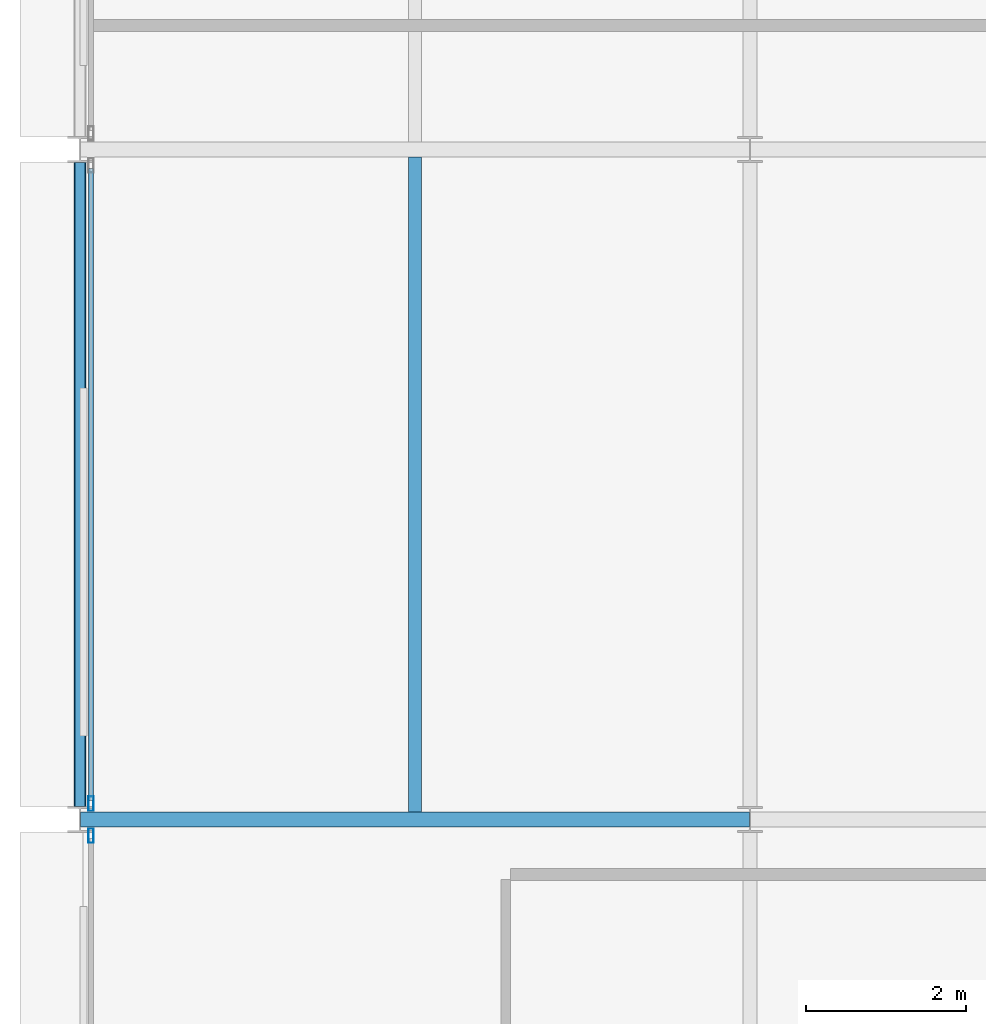
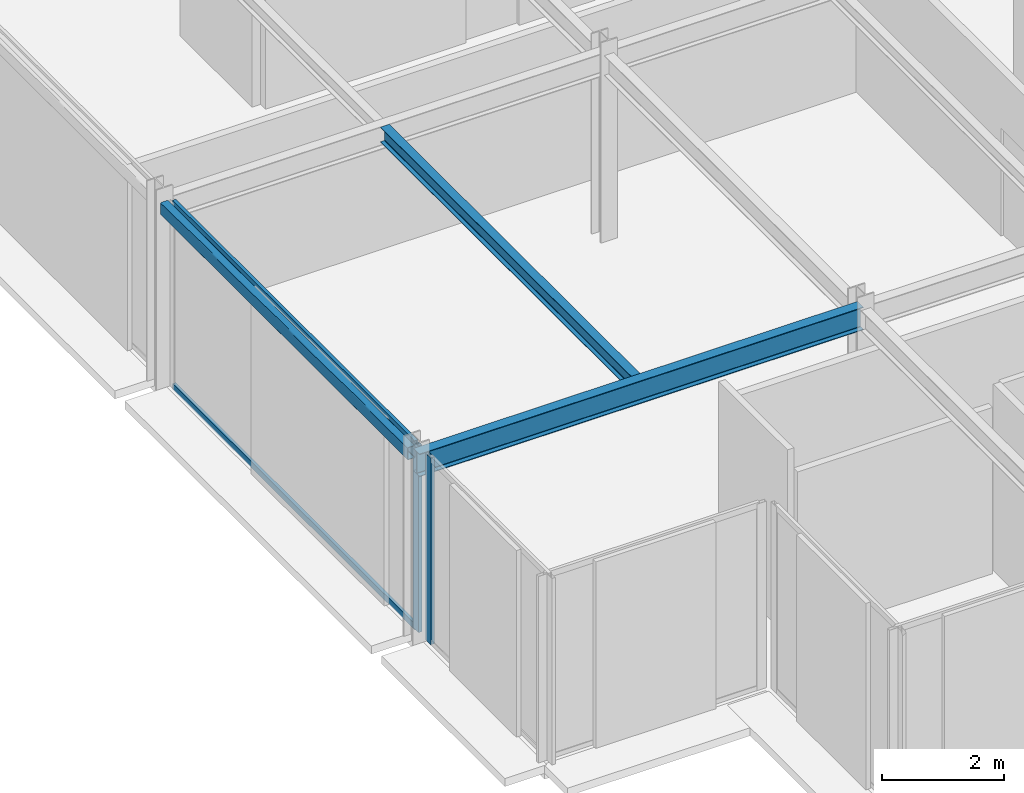
# One storey, part 5 of 27: 4 members, 3 beams, 2 elements without a shape of their own.
"""IFC4 building model written with IfcOpenShell, lengths in metres."""

from ifc_helpers import new_model, si_unit, direction, frame, origin, origin_2d, place, context, subcontext, project, spatial, hollow_rectangle, i_section, extrude, material, layer, layer_set, material_profile, profile_set, type_object, element, aggregate, save


model = new_model("IFC4")

# Units and contexts
model_context = context("Model", 3, precision=1e-05, world=origin(), true_north=direction((0.0, 1.0)))
body_context = subcontext(model_context, "Body", "Model", "MODEL_VIEW")
ifc_project = project(units=[si_unit("LENGTHUNIT", "METRE"), si_unit("AREAUNIT", "SQUARE_METRE"), si_unit("VOLUMEUNIT", "CUBIC_METRE"), si_unit("PLANEANGLEUNIT", "RADIAN"), si_unit("MASSUNIT", "GRAM", prefix="KILO")], contexts=[model_context])

# Site, building, storey
site_placement = place(None, origin())
site = spatial("IfcSite", under=ifc_project, at=site_placement, CompositionType="ELEMENT")
building_placement = place(site_placement, origin())
building = spatial("IfcBuilding", under=site, at=building_placement, Name="Nerrivon Quay Data Exchange", CompositionType="ELEMENT")
storey_placement = place(building_placement, frame((0.0, 0.0, 254.199951171875)))
storey = spatial("IfcBuildingStorey", under=building, at=storey_placement, Name="L60", CompositionType="ELEMENT", Elevation=254.199951171875)

# Beams
ifc_material_1 = material(Name="Steel Grade 350", Category="steel")
ifc_material_profile_1 = material_profile(ifc_material_1, i_section(OverallWidth=0.18994140625, OverallDepth=0.4541015625, WebThickness=0.008544921875, FlangeThickness=0.0126953125, FilletRadius=0.011474609375, at=origin_2d()), Name="460UB67.1")
ifc_profile_set_1 = profile_set([ifc_material_profile_1], Name="Steel Grade 350")
beam_type_1 = type_object("IfcBeamType", Name="BM-G6-460UB67", PredefinedType="BEAM", material=ifc_profile_set_1)
beam_1_placement = place(storey_placement, frame((0.0078125, 8.39990234375, 3.498046875), z_axis=(1.0, 0.0, 0.0), x_axis=(0.0, 1.0, 0.0)))
element("IfcBeam", 1, at=beam_1_placement, inside=storey, type_object=beam_type_1, Name="L60 EW Girder Y=8.4 (0.0..8.4)", PredefinedType="BEAM", context=body_context, shape_type="SweptSolid", body=[
    extrude(i_section(OverallWidth=0.18994140625, OverallDepth=0.4541015625, WebThickness=0.008544921875, FlangeThickness=0.0126953125, FilletRadius=0.011474609375, at=origin_2d()), origin(), (0.0, 0.0, 1.0), 8.38427734375),
])
ifc_material_profile_2 = material_profile(ifc_material_1, i_section(OverallWidth=0.1650390625, OverallDepth=0.303955078125, WebThickness=0.006103515625, FlangeThickness=0.01025390625, FilletRadius=0.011474609375, at=origin_2d()), Name="310UB40.4")
ifc_profile_set_2 = profile_set([ifc_material_profile_2], Name="Steel Grade 350")
beam_type_2 = type_object("IfcBeamType", Name="BM-J6-310UB40", PredefinedType="JOIST", material=ifc_profile_set_2)
beam_2_placement = place(storey_placement, frame((4.199951171875, 8.4951171875, 3.572998046875), z_axis=(0.0, 1.0, 0.0), x_axis=(-1.0, 0.0, 0.0)))
element("IfcBeam", 2, at=beam_2_placement, inside=storey, type_object=beam_type_2, Name="L60 Secondary Joist X=4.2 (8.4..16.8)", PredefinedType="JOIST", context=body_context, shape_type="SweptSolid", body=[
    extrude(i_section(OverallWidth=0.1650390625, OverallDepth=0.303955078125, WebThickness=0.006103515625, FlangeThickness=0.01025390625, FilletRadius=0.011474609375, at=origin_2d()), origin(), (0.0, 0.0, 1.0), 8.2099609375),
])
ifc_material_2 = material(Name="Steel Grade C350L0 (350 MPa)", Category="steel")
ifc_material_profile_3 = material_profile(ifc_material_2, hollow_rectangle(XDim=0.14990234375, YDim=0.25, WallThickness=0.009033203125, InnerFilletRadius=0.013427734375, OuterFilletRadius=0.0224609375, at=origin_2d()), Name="250x150x9.0RHS")
ifc_profile_set_3 = profile_set([ifc_material_profile_3], Name="Steel Grade C350L0 (350 MPa)")
beam_type_3 = type_object("IfcBeamType", Name="BM-SP4-250x150RHS", PredefinedType="SPANDREL", material=ifc_profile_set_3)
beam_3_placement = place(storey_placement, frame((0.0, 8.5634765625, 3.60009765625), z_axis=(0.0, 1.0, 0.0), x_axis=(-1.0, 0.0, 0.0)))
element("IfcBeam", 3, at=beam_3_placement, inside=storey, type_object=beam_type_3, Name="L60 NS Girder X=0.0 (8.4..16.8)", PredefinedType="SPANDREL", context=body_context, shape_type="SweptSolid", body=[
    extrude(hollow_rectangle(XDim=0.14990234375, YDim=0.25, WallThickness=0.009033203125, InnerFilletRadius=0.013427734375, OuterFilletRadius=0.0224609375, at=origin_2d()), origin(), (0.0, 0.0, 1.0), 8.072998046875),
])

# Curtain wall, member
ifc_material_3 = material(Name="Anodised aluminium 6063-T6", Category="aluminium")
ifc_layer = layer(ifc_material_3, 0.195068359375)
ifc_layer_set = layer_set([ifc_layer], Name="Anodised aluminium 6063-T6")
curtain_wall_type = type_object("IfcCurtainWallType", Name="CW-SYS-06", PredefinedType="NOTDEFINED", material=ifc_layer_set)
curtain_wall_1_placement = place(storey_placement, origin())
curtain_wall_1 = element("IfcCurtainWall", 4, at=curtain_wall_1_placement, inside=storey, type_object=curtain_wall_type, Name="L60 Unitised Curtain Wall 11", PredefinedType="NOTDEFINED")
ifc_material_profile_4 = material_profile(ifc_material_3, hollow_rectangle(XDim=0.06494140625, YDim=0.179931640625, WallThickness=0.00341796875, at=origin_2d()), Name="ALU-MULL-180x65")
ifc_profile_set_4 = profile_set([ifc_material_profile_4], Name="Anodised aluminium 6063-T6")
member_type_1 = type_object("IfcMemberType", Name="CWM-180x65", PredefinedType="MULLION", material=ifc_profile_set_4)
member_1_placement = place(storey_placement, frame((0.139892578125, 8.198974609375, 0.0), z_axis=(0.0, 0.0, 1.0), x_axis=(-1.0, 0.0, 0.0)))
member_1 = element("IfcMember", 5, at=member_1_placement, type_object=member_type_1, Name="CW06 mullion 2", PredefinedType="MULLION", context=body_context, shape_type="SweptSolid", body=[
    extrude(hollow_rectangle(XDim=0.06494140625, YDim=0.179931640625, WallThickness=0.00341796875, at=origin_2d()), origin(), (0.0, 0.0, 1.0), 3.72509765625),
])
aggregate(curtain_wall_1, [member_1])

# Curtain wall, members
curtain_wall_2_placement = place(storey_placement, origin())
curtain_wall_2 = element("IfcCurtainWall", 6, at=curtain_wall_2_placement, inside=storey, type_object=curtain_wall_type, Name="L60 Unitised Curtain Wall 12", PredefinedType="NOTDEFINED")
member_2_placement = place(storey_placement, frame((0.139892578125, 8.60107421875, 0.0), z_axis=(0.0, 0.0, 1.0), x_axis=(-1.0, 0.0, 0.0)))
member_2 = element("IfcMember", 7, at=member_2_placement, type_object=member_type_1, Name="CW06 mullion 1", PredefinedType="MULLION", context=body_context, shape_type="SweptSolid", body=[
    extrude(hollow_rectangle(XDim=0.06494140625, YDim=0.179931640625, WallThickness=0.00341796875, at=origin_2d()), origin(), (0.0, 0.0, 1.0), 3.72509765625),
])
ifc_material_profile_5 = material_profile(ifc_material_3, hollow_rectangle(XDim=0.06005859375, YDim=0.1201171875, WallThickness=0.003173828125, at=origin_2d()), Name="ALU-TRAN-120x60")
ifc_profile_set_5 = profile_set([ifc_material_profile_5], Name="Anodised aluminium 6063-T6")
member_type_2 = type_object("IfcMemberType", Name="CWT-120x60", PredefinedType="USERDEFINED", material=ifc_profile_set_5)
member_3_placement = place(storey_placement, frame((0.139892578125, 8.638427734375, 0.032470703125), z_axis=(0.0, 1.0, 0.0), x_axis=(-1.0, 0.0, 0.0)))
member_3 = element("IfcMember", 8, at=member_3_placement, type_object=member_type_2, Name="CW06 transom 1.1", ObjectType="TRANSOM", PredefinedType="USERDEFINED", context=body_context, shape_type="SweptSolid", body=[
    extrude(hollow_rectangle(XDim=0.06005859375, YDim=0.1201171875, WallThickness=0.003173828125, at=origin_2d()), origin(), (0.0, 0.0, 1.0), 7.923095703125),
])
member_4_placement = place(storey_placement, frame((0.139892578125, 8.638427734375, 3.692626953125), z_axis=(0.0, 1.0, 0.0), x_axis=(-1.0, 0.0, 0.0)))
member_4 = element("IfcMember", 9, at=member_4_placement, type_object=member_type_2, Name="CW06 transom 1.2", ObjectType="TRANSOM", PredefinedType="USERDEFINED", context=body_context, shape_type="SweptSolid", body=[
    extrude(hollow_rectangle(XDim=0.06005859375, YDim=0.1201171875, WallThickness=0.003173828125, at=origin_2d()), origin(), (0.0, 0.0, 1.0), 7.923095703125),
])
aggregate(curtain_wall_2, [member_2, member_3, member_4])

save(model, "model.ifc")
